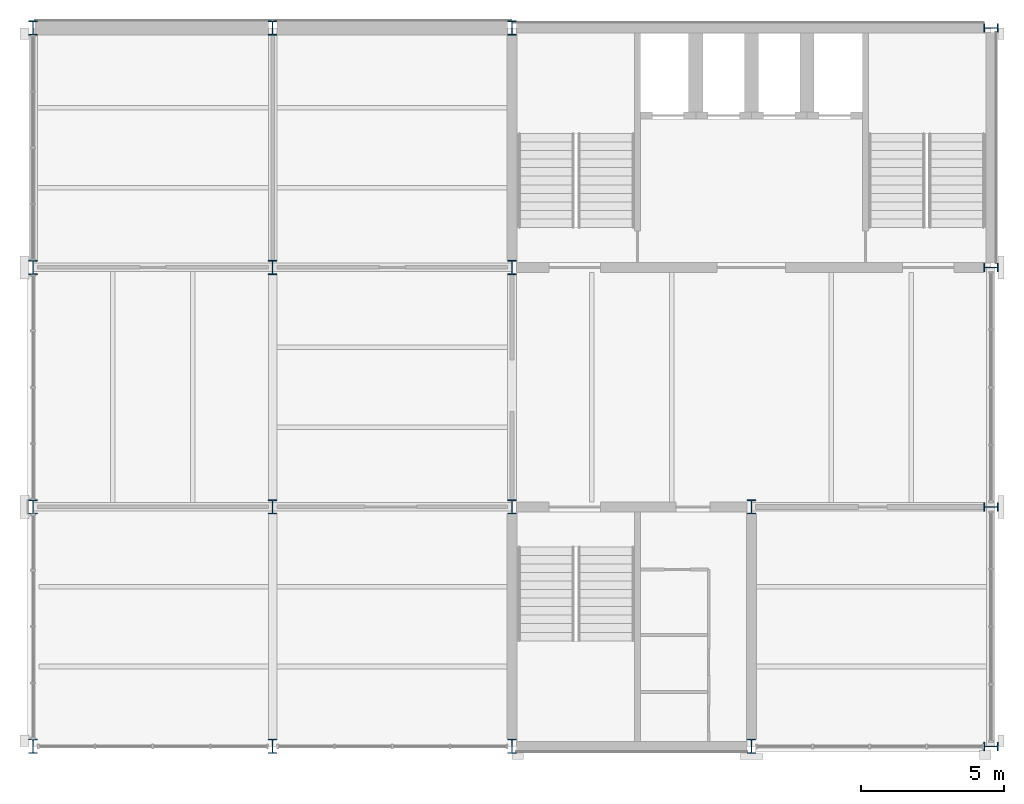
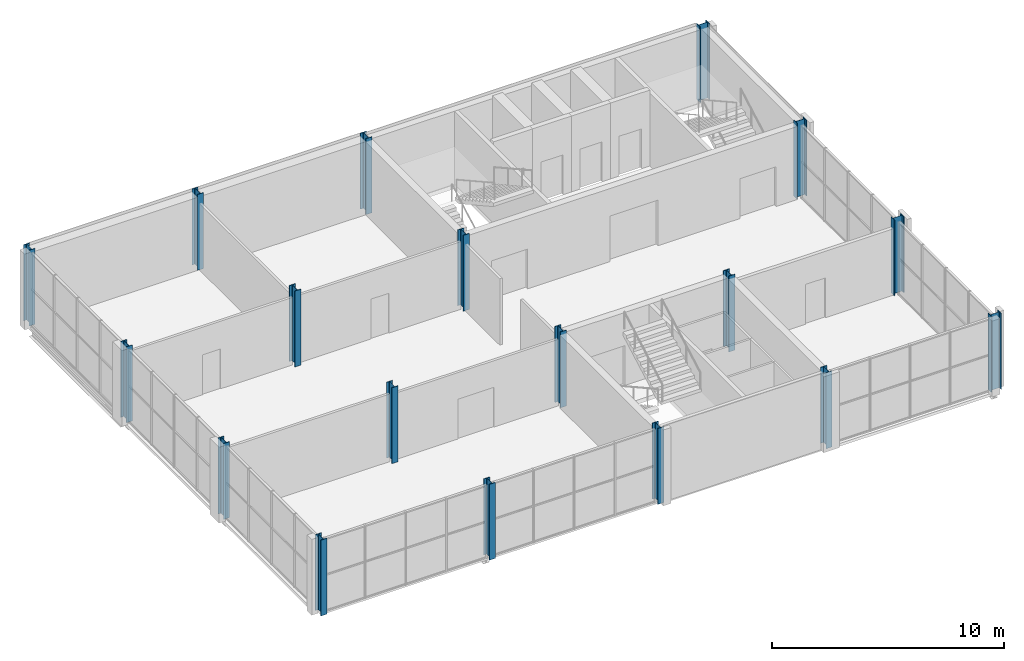
# One storey, part 1 of 12: 18 columns.
"""IFC4 building model written with IfcOpenShell, lengths in metres."""

from ifc_helpers import new_model, si_unit, direction, frame, origin, origin_2d, place, context, subcontext, project, spatial, i_section, extrude, material, material_profile, profile_set, type_object, element, save


model = new_model("IFC4")

# Units and contexts
model_context = context("Model", 3, precision=1e-05, world=origin(), true_north=direction((0.0, 1.0)))
body_context = subcontext(model_context, "Body", "Model", "MODEL_VIEW")
ifc_project = project(units=[si_unit("LENGTHUNIT", "METRE"), si_unit("AREAUNIT", "SQUARE_METRE"), si_unit("VOLUMEUNIT", "CUBIC_METRE"), si_unit("PLANEANGLEUNIT", "RADIAN"), si_unit("MASSUNIT", "GRAM", prefix="KILO")], contexts=[model_context])

# Site, building, storey
site_placement = place(None, origin())
site = spatial("IfcSite", under=ifc_project, at=site_placement, CompositionType="ELEMENT")
building_placement = place(site_placement, origin())
building = spatial("IfcBuilding", under=site, at=building_placement, Name="Galleria Vessillo Department Store", CompositionType="ELEMENT")
storey_placement = place(building_placement, frame((0.0, 0.0, 35.60009765625)))
storey = spatial("IfcBuildingStorey", under=building, at=storey_placement, Name="L07", CompositionType="ELEMENT", Elevation=35.60009765625)

# Columns
ifc_material = material(Name="Steel S355 J2", Category="steel")
ifc_material_profile = material_profile(ifc_material, i_section(OverallWidth=0.300048828125, OverallDepth=0.5, WebThickness=0.014404296875, FlangeThickness=0.028076171875, FilletRadius=0.027099609375, at=origin_2d()), Name="HEB 500")
ifc_profile_set = profile_set([ifc_material_profile], Name="Steel S355 J2")
column_type = type_object("IfcColumnType", Name="Steel column HEB 500 CT3", PredefinedType="COLUMN", material=ifc_profile_set)
for number, where, z_axis, x_axis, name in (
    (1, (84.0, 37.800048828125, 0.0), (0.0, 0.0, 1.0), (1.0, 0.0, 0.0), "S-COL-L07-11-E"),
    (2, (84.0, 46.199951171875, 0.0), (0.0, 0.0, 1.0), (1.0, 0.0, 0.0), "S-COL-L07-11-F"),
    (3, (84.0, 54.60009765625, 0.0), (0.0, 0.0, 1.0), (1.0, 0.0, 0.0), "S-COL-L07-11-G"),
    (4, (84.0, 63.0, 0.0), (0.0, 0.0, 1.0), (1.0, 0.0, 0.0), "S-COL-L07-11-H"),
    (5, (92.39990234375, 37.800048828125, 0.0), (0.0, 0.0, 1.0), (1.0, 0.0, 0.0), "S-COL-L07-12-E"),
    (6, (92.39990234375, 46.199951171875, 0.0), (0.0, 0.0, 1.0), (1.0, 0.0, 0.0), "S-COL-L07-12-F"),
    (7, (92.39990234375, 54.60009765625, 0.0), (0.0, 0.0, 1.0), (1.0, 0.0, 0.0), "S-COL-L07-12-G"),
    (8, (92.39990234375, 63.0, 0.0), (0.0, 0.0, 1.0), (1.0, 0.0, 0.0), "S-COL-L07-12-H"),
    (9, (100.800048828125, 37.800048828125, 0.0), (0.0, 0.0, 1.0), (1.0, 0.0, 0.0), "S-COL-L07-13-E"),
    (10, (100.800048828125, 46.199951171875, 0.0), (0.0, 0.0, 1.0), (1.0, 0.0, 0.0), "S-COL-L07-13-F"),
    (11, (100.800048828125, 54.60009765625, 0.0), (0.0, 0.0, 1.0), (1.0, 0.0, 0.0), "S-COL-L07-13-G"),
    (12, (100.800048828125, 63.0, 0.0), (0.0, 0.0, 1.0), (1.0, 0.0, 0.0), "S-COL-L07-13-H"),
    (13, (109.199951171875, 37.800048828125, 0.0), (0.0, 0.0, 1.0), (1.0, 0.0, 0.0), "S-COL-L07-14-E"),
    (14, (109.199951171875, 46.199951171875, 0.0), (0.0, 0.0, 1.0), (1.0, 0.0, 0.0), "S-COL-L07-14-F"),
    (15, (117.60009765625, 37.800048828125, 0.0), (0.0, 0.0, 1.0), (0.0, 1.0, 0.0), "S-COL-L07-15-E"),
    (16, (117.60009765625, 46.199951171875, 0.0), (0.0, 0.0, 1.0), (0.0, 1.0, 0.0), "S-COL-L07-15-F"),
    (17, (117.60009765625, 54.60009765625, 0.0), (0.0, 0.0, 1.0), (0.0, 1.0, 0.0), "S-COL-L07-15-G"),
    (18, (117.60009765625, 63.0, 0.0), (0.0, 0.0, 1.0), (0.0, 1.0, 0.0), "S-COL-L07-15-H"),
):
    element("IfcColumn", number, at=place(storey_placement, frame(where, z_axis=z_axis, x_axis=x_axis)), inside=storey, type_object=column_type, Name=name, PredefinedType="COLUMN", context=body_context, shape_type="SweptSolid", body=[
        extrude(i_section(OverallWidth=0.300048828125, OverallDepth=0.5, WebThickness=0.014404296875, FlangeThickness=0.028076171875, FilletRadius=0.027099609375, at=origin_2d()), origin(), (0.0, 0.0, 1.0), 4.0),
    ])

save(model, "model.ifc")
